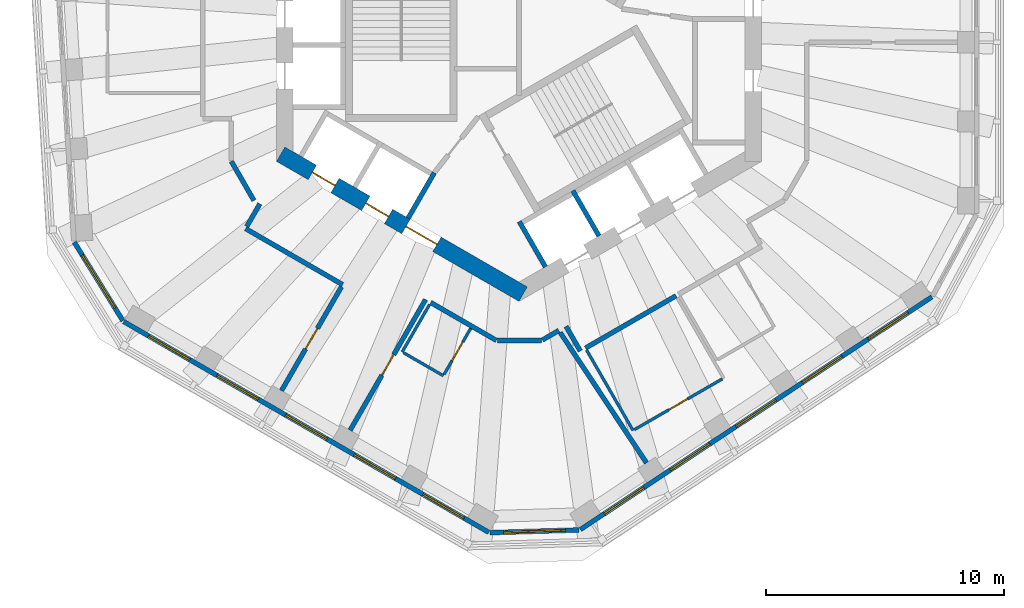
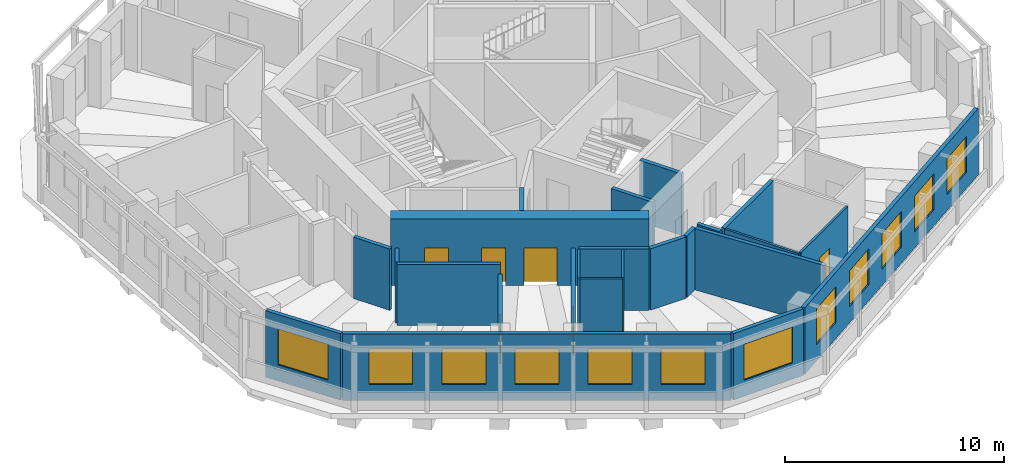
# One storey, part 4 of 11: 24 walls, 12 windows, 7 doors, 19 openings.
"""IFC4 building model written with IfcOpenShell, lengths in metres."""

from ifc_helpers import new_model, si_unit, direction, frame, frame_2d, origin, place, context, subcontext, project, spatial, rectangle, extrude, material, layer, layer_set, type_object, element, fill, save


model = new_model("IFC4")

# Units and contexts
model_context = context("Model", 3, precision=1e-05, world=origin(), true_north=direction((0.0, 1.0)))
body_context = subcontext(model_context, "Body", "Model", "MODEL_VIEW")
ifc_project = project(units=[si_unit("LENGTHUNIT", "METRE"), si_unit("AREAUNIT", "SQUARE_METRE"), si_unit("VOLUMEUNIT", "CUBIC_METRE"), si_unit("PLANEANGLEUNIT", "RADIAN"), si_unit("MASSUNIT", "GRAM", prefix="KILO")], contexts=[model_context])

# Site, building, storey
site_placement = place(None, origin())
site = spatial("IfcSite", under=ifc_project, at=site_placement, CompositionType="ELEMENT")
building_placement = place(site_placement, origin())
building = spatial("IfcBuilding", under=site, at=building_placement, Name="Vanh Sen Convention Tower", CompositionType="ELEMENT")
storey_placement = place(building_placement, frame((0.0, 0.0, 259.800048828125)))
storey = spatial("IfcBuildingStorey", under=building, at=storey_placement, Name="L64", CompositionType="ELEMENT", Elevation=259.800048828125)

# Walls
ifc_material_1 = material(Name="Moisture-resistant gypsum board on steel studs", Category="steel")
ifc_layer_1 = layer(ifc_material_1, 0.1201171875)
ifc_layer_set_1 = layer_set([ifc_layer_1], Name="Moisture-resistant gypsum board on steel studs")
wall_type_1 = type_object("IfcWallType", Name="Bathroom partition 120", PredefinedType="PARTITIONING", material=ifc_layer_set_1)
wall_1_placement = place(storey_placement, frame((-4.913330078125, -13.906494140625, 0.0), z_axis=(0.0, 0.0, 1.0), x_axis=(0.500031774688, 0.866007057882, 0.0)))
element("IfcWall", 1, at=wall_1_placement, inside=storey, type_object=wall_type_1, Name="Bathroom partition 120", PredefinedType="PARTITIONING", context=body_context, shape_type="SweptSolid", body=[
    extrude(rectangle(XDim=2.300048828125, YDim=0.1201171875, at=frame_2d((1.14990234375, 0.0))), origin(), (0.0, 0.0, 1.0), 3.419921875),
])
wall_2_placement = place(storey_placement, frame((-3.18115234375, -14.906494140625, 0.0), z_axis=(0.0, 0.0, 1.0), x_axis=(-0.866043088465, 0.499969367985, 0.0)))
element("IfcWall", 2, at=wall_2_placement, inside=storey, type_object=wall_type_1, Name="Bathroom partition 120", PredefinedType="PARTITIONING", context=body_context, shape_type="SweptSolid", body=[
    extrude(rectangle(XDim=1.93994140625, YDim=0.1201171875, at=frame_2d((0.969970703125, 0.0))), origin(), (0.0, 0.0, 1.0), 3.419921875),
])

# Wall, opening, door
wall_3_placement = place(storey_placement, frame((-2.03125, -12.91455078125, 0.0), z_axis=(0.0, 0.0, 1.0), x_axis=(-0.49994888933, -0.866054910533, 0.0)))
wall_3 = element("IfcWall", 3, at=wall_3_placement, inside=storey, type_object=wall_type_1, Name="Bathroom partition 120", PredefinedType="PARTITIONING", context=body_context, shape_type="SweptSolid", body=[
    extrude(rectangle(XDim=2.239990234375, YDim=0.1201171875, at=frame_2d((1.1201171875, 0.0))), origin(), (0.0, 0.0, 1.0), 3.419921875),
])
opening_1_placement = place(wall_3_placement, frame((0.669921875, 0.0, 0.0)))
opening_1 = element("IfcOpeningElement", 4, at=opening_1_placement, cuts=wall_3, Name="Opening D64113", PredefinedType="OPENING", context=body_context, shape_type="SweptSolid", body=[
    extrude(rectangle(XDim=0.89990234375, YDim=2.10009765625, at=frame_2d((0.449951171875, 1.050048828125))), frame((0.0, 0.070068359375, 0.0), z_axis=(0.0, -1.0, 0.0), x_axis=(1.0, 0.0, 0.0)), (0.0, 0.0, 1.0), 0.14013671875),
])
ifc_material_2 = material(Name="Laminate door in steel frame", Category="steel")
door_type_1 = type_object("IfcDoorType", Name="Room internal door 900", OperationType="SINGLE_SWING_LEFT", PredefinedType="DOOR", material=ifc_material_2)
door_1_placement = place(opening_1_placement, origin())
door_1 = element("IfcDoor", 5, at=door_1_placement, inside=storey, type_object=door_type_1, Name="Internal room door D64113", OperationType="SINGLE_SWING_LEFT", OverallHeight=2.10009765625, OverallWidth=0.89990234375, PredefinedType="DOOR", context=body_context, shape_type="SweptSolid", body=[
    extrude(rectangle(XDim=0.89990234375, YDim=2.10009765625, at=frame_2d((0.449951171875, 1.050048828125))), frame((0.0, 0.02490234375, 0.0), z_axis=(0.0, -1.0, 0.0), x_axis=(1.0, 0.0, 0.0)), (0.0, 0.0, 1.0), 0.050048828125),
])
fill(opening_1, door_1)

# Wall
wall_4_placement = place(storey_placement, frame((4.7958984375, -17.20849609375, 0.0), z_axis=(0.0, 0.0, 1.0), x_axis=(-0.500043961785, 0.866000020948, 0.0)))
element("IfcWall", 6, at=wall_4_placement, inside=storey, type_object=wall_type_1, Name="Bathroom partition 120", PredefinedType="PARTITIONING", context=body_context, shape_type="SweptSolid", body=[
    extrude(rectangle(XDim=3.900146484375, YDim=0.1201171875, at=frame_2d((1.9501953125, 0.0))), origin(), (0.0, 0.0, 1.0), 3.419921875),
])

# Wall, opening, door
wall_5_placement = place(storey_placement, frame((8.55419921875, -15.03857421875, 0.0), z_axis=(0.0, 0.0, 1.0), x_axis=(-0.865994635417, -0.500053288589, 0.0)))
wall_5 = element("IfcWall", 7, at=wall_5_placement, inside=storey, type_object=wall_type_1, Name="Bathroom partition 120", PredefinedType="PARTITIONING", context=body_context, shape_type="SweptSolid", body=[
    extrude(rectangle(XDim=4.27978515625, YDim=0.1201171875, at=frame_2d((2.139892578125, 0.0))), origin(), (0.0, 0.0, 1.0), 3.419921875),
])
opening_2_placement = place(wall_5_placement, frame((1.68994140625, 0.0, 0.0)))
opening_2 = element("IfcOpeningElement", 8, at=opening_2_placement, cuts=wall_5, Name="Opening D64115", PredefinedType="OPENING", context=body_context, shape_type="SweptSolid", body=[
    extrude(rectangle(XDim=0.89990234375, YDim=2.10009765625, at=frame_2d((0.449951171875, 1.050048828125))), frame((0.0, 0.070068359375, 0.0), z_axis=(0.0, -1.0, 0.0), x_axis=(1.0, 0.0, 0.0)), (0.0, 0.0, 1.0), 0.14013671875),
])
door_2_placement = place(opening_2_placement, origin())
door_2 = element("IfcDoor", 9, at=door_2_placement, inside=storey, type_object=door_type_1, Name="Internal room door D64115", OperationType="SINGLE_SWING_LEFT", OverallHeight=2.10009765625, OverallWidth=0.89990234375, PredefinedType="DOOR", context=body_context, shape_type="SweptSolid", body=[
    extrude(rectangle(XDim=0.89990234375, YDim=2.10009765625, at=frame_2d((0.449951171875, 1.050048828125))), frame((0.0, 0.02490234375, 0.0), z_axis=(0.0, -1.0, 0.0), x_axis=(1.0, 0.0, 0.0)), (0.0, 0.0, 1.0), 0.050048828125),
])
fill(opening_2, door_2)

# Wall, openings, doors
ifc_material_3 = material(Name="Concrete C60/75", Category="concrete")
ifc_layer_2 = layer(ifc_material_3, 0.699951171875)
ifc_layer_set_2 = layer_set([ifc_layer_2], Name="Concrete C60/75")
wall_type_2 = type_object("IfcWallType", Name="Core outer wall 700 C60/75", PredefinedType="SHEAR", material=ifc_layer_set_2)
wall_6_placement = place(storey_placement, frame((-10.02490234375, -5.5859375, 0.0), z_axis=(0.0, 0.0, 1.0), x_axis=(0.866026453023, -0.499998182661, 0.0)))
wall_6 = element("IfcWall", 10, at=wall_6_placement, inside=storey, type_object=wall_type_2, Name="Core wall face SW L64", PredefinedType="SHEAR", context=body_context, shape_type="SweptSolid", body=[
    extrude(rectangle(XDim=11.77783203125, YDim=0.699951171875, at=frame_2d((5.888916015625, 0.0))), origin(), (0.0, 0.0, 1.0), 3.699951171875),
])
opening_3_placement = place(wall_6_placement, frame((6.089111328125, 0.0, 0.0)))
opening_3 = element("IfcOpeningElement", 11, at=opening_3_placement, cuts=wall_6, Name="Opening D64003", PredefinedType="OPENING", context=body_context, shape_type="SweptSolid", body=[
    extrude(rectangle(XDim=1.5, YDim=2.10009765625, at=frame_2d((0.75, 1.050048828125))), frame((0.0, 0.35986328125, 0.0), z_axis=(0.0, -1.0, 0.0), x_axis=(1.0, 0.0, 0.0)), (0.0, 0.0, 1.0), 0.719970703125),
])
opening_4_placement = place(wall_6_placement, frame((1.5390625, 0.0, 0.0)))
opening_4 = element("IfcOpeningElement", 12, at=opening_4_placement, cuts=wall_6, Name="Opening LD-HR3", PredefinedType="OPENING", context=body_context, shape_type="SweptSolid", body=[
    extrude(rectangle(XDim=1.10009765625, YDim=2.10009765625, at=frame_2d((0.550048828125, 1.050048828125))), frame((0.0, 0.35986328125, 0.0), z_axis=(0.0, -1.0, 0.0), x_axis=(1.0, 0.0, 0.0)), (0.0, 0.0, 1.0), 0.719970703125),
])
opening_5_placement = place(wall_6_placement, frame((4.138916015625, 0.0, 0.0)))
opening_5 = element("IfcOpeningElement", 13, at=opening_5_placement, cuts=wall_6, Name="Opening LD-HR4", PredefinedType="OPENING", context=body_context, shape_type="SweptSolid", body=[
    extrude(rectangle(XDim=1.10009765625, YDim=2.10009765625, at=frame_2d((0.550048828125, 1.050048828125))), frame((0.0, 0.35986328125, 0.0), z_axis=(0.0, -1.0, 0.0), x_axis=(1.0, 0.0, 0.0)), (0.0, 0.0, 1.0), 0.719970703125),
])
ifc_material_4 = material(Name="Stainless steel", Category="steel")
door_type_2 = type_object("IfcDoorType", Name="Lift landing door 1100", OperationType="DOUBLE_DOOR_SLIDING", PredefinedType="DOOR", material=ifc_material_4)
door_3_placement = place(opening_4_placement, origin())
door_3 = element("IfcDoor", 14, at=door_3_placement, inside=storey, type_object=door_type_2, Name="Lift HR3 landing door LD-HR3", OperationType="DOUBLE_DOOR_SLIDING", OverallHeight=2.10009765625, OverallWidth=1.10009765625, PredefinedType="DOOR", context=body_context, shape_type="SweptSolid", body=[
    extrude(rectangle(XDim=1.10009765625, YDim=2.10009765625, at=frame_2d((0.550048828125, 1.050048828125))), frame((0.0, 0.02490234375, 0.0), z_axis=(0.0, -1.0, 0.0), x_axis=(1.0, 0.0, 0.0)), (0.0, 0.0, 1.0), 0.050048828125),
])
fill(opening_4, door_3)
door_4_placement = place(opening_5_placement, origin())
door_4 = element("IfcDoor", 15, at=door_4_placement, inside=storey, type_object=door_type_2, Name="Lift HR4 landing door LD-HR4", OperationType="DOUBLE_DOOR_SLIDING", OverallHeight=2.10009765625, OverallWidth=1.10009765625, PredefinedType="DOOR", context=body_context, shape_type="SweptSolid", body=[
    extrude(rectangle(XDim=1.10009765625, YDim=2.10009765625, at=frame_2d((0.550048828125, 1.050048828125))), frame((0.0, 0.02490234375, 0.0), z_axis=(0.0, -1.0, 0.0), x_axis=(1.0, 0.0, 0.0)), (0.0, 0.0, 1.0), 0.050048828125),
])
fill(opening_5, door_4)
ifc_material_5 = material(Name="Steel S355", Category="steel")
door_type_3 = type_object("IfcDoorType", Name="Stair lobby door 1500", OperationType="DOUBLE_DOOR_SINGLE_SWING", PredefinedType="DOOR", material=ifc_material_5)
door_5_placement = place(opening_3_placement, origin())
door_5 = element("IfcDoor", 16, at=door_5_placement, inside=storey, type_object=door_type_3, Name="Stair lobby door D64003", OperationType="DOUBLE_DOOR_SINGLE_SWING", OverallHeight=2.10009765625, OverallWidth=1.5, PredefinedType="DOOR", context=body_context, shape_type="SweptSolid", body=[
    extrude(rectangle(XDim=1.5, YDim=2.10009765625, at=frame_2d((0.75, 1.050048828125))), frame((0.0, 0.02490234375, 0.0), z_axis=(0.0, -1.0, 0.0), x_axis=(1.0, 0.0, 0.0)), (0.0, 0.0, 1.0), 0.050048828125),
])
fill(opening_3, door_5)

# Walls
ifc_material_6 = material(Name="Gypsum board on steel studs with mineral wool", Category="steel")
ifc_layer_3 = layer(ifc_material_6, 0.199951171875)
ifc_layer_set_3 = layer_set([ifc_layer_3], Name="Gypsum board on steel studs with mineral wool")
wall_type_3 = type_object("IfcWallType", Name="Corridor partition wall 200", PredefinedType="PARTITIONING", material=ifc_layer_set_3)
wall_7_placement = place(storey_placement, frame((-12.10009765625, -5.888916015625, 0.0), z_axis=(0.0, 0.0, 1.0), x_axis=(0.500063520245, -0.865988727248, 0.0)))
element("IfcWall", 17, at=wall_7_placement, inside=storey, type_object=wall_type_3, Name="Corridor partition wall 200", PredefinedType="PARTITIONING", context=body_context, shape_type="SweptSolid", body=[
    extrude(rectangle(XDim=1.900146484375, YDim=0.199951171875, at=frame_2d((0.9501953125, 0.0))), origin(), (0.0, 0.0, 1.0), 3.419921875),
])
wall_8_placement = place(storey_placement, frame((-11.501220703125, -8.718505859375, 0.0), z_axis=(0.0, 0.0, 1.0), x_axis=(0.866024434742, -0.500001678427, 0.0)))
element("IfcWall", 18, at=wall_8_placement, inside=storey, type_object=wall_type_3, Name="Corridor partition wall 200", PredefinedType="PARTITIONING", context=body_context, shape_type="SweptSolid", body=[
    extrude(rectangle(XDim=4.7177734375, YDim=0.199951171875, at=frame_2d((2.35888671875, 0.0))), origin(), (0.0, 0.0, 1.0), 3.419921875),
])
wall_9_placement = place(storey_placement, frame((-10.900634765625, -7.678466796875, 0.0), z_axis=(0.0, 0.0, 1.0), x_axis=(-0.500074377092, -0.865982457891, 0.0)))
element("IfcWall", 19, at=wall_9_placement, inside=storey, type_object=wall_type_3, Name="Corridor partition wall 200", PredefinedType="PARTITIONING", context=body_context, shape_type="SweptSolid", body=[
    extrude(rectangle(XDim=1.100830078125, YDim=0.199951171875, at=frame_2d((0.55029296875, 0.0))), origin(), (0.0, 0.0, 1.0), 3.419921875),
])

# Wall, opening, door
wall_10_placement = place(storey_placement, frame((-9.989990234375, -15.53662109375, 0.0), z_axis=(0.0, 0.0, 1.0), x_axis=(0.499966611936, 0.866044679534, 0.0)))
wall_10 = element("IfcWall", 20, at=wall_10_placement, inside=storey, type_object=wall_type_3, Name="Corridor partition wall 200", PredefinedType="PARTITIONING", context=body_context, shape_type="SweptSolid", body=[
    extrude(rectangle(XDim=5.049072265625, YDim=0.199951171875, at=frame_2d((2.5244140625, 0.0))), origin(), (0.0, 0.0, 1.0), 2.869873046875),
])
opening_6_placement = place(wall_10_placement, frame((2.0244140625, 0.0, 0.0)))
opening_6 = element("IfcOpeningElement", 21, at=opening_6_placement, cuts=wall_10, Name="Opening D64110", PredefinedType="OPENING", context=body_context, shape_type="SweptSolid", body=[
    extrude(rectangle(XDim=1.0, YDim=2.10009765625, at=frame_2d((0.5, 1.050048828125))), frame((0.0, 0.10986328125, 0.0), z_axis=(0.0, -1.0, 0.0), x_axis=(1.0, 0.0, 0.0)), (0.0, 0.0, 1.0), 0.219970703125),
])
ifc_material_7 = material(Name="Glazed fire door in steel frame", Category="steel")
door_type_4 = type_object("IfcDoorType", Name="Tenant entrance door 1000", OperationType="SINGLE_SWING_LEFT", PredefinedType="DOOR", material=ifc_material_7)
door_6_placement = place(opening_6_placement, origin())
door_6 = element("IfcDoor", 22, at=door_6_placement, inside=storey, type_object=door_type_4, Name="Tenant suite entrance door D64110", OperationType="SINGLE_SWING_LEFT", OverallHeight=2.10009765625, OverallWidth=1.0, PredefinedType="DOOR", context=body_context, shape_type="SweptSolid", body=[
    extrude(rectangle(XDim=1.0, YDim=2.10009765625, at=frame_2d((0.5, 1.050048828125))), frame((0.0, 0.02490234375, 0.0), z_axis=(0.0, -1.0, 0.0), x_axis=(1.0, 0.0, 0.0)), (0.0, 0.0, 1.0), 0.050048828125),
])
fill(opening_6, door_6)

wall_11_placement = place(storey_placement, frame((-7.104736328125, -17.202392578125, 0.0), z_axis=(0.0, 0.0, 1.0), x_axis=(0.499988692146, 0.866031932279, 0.0)))
wall_11 = element("IfcWall", 23, at=wall_11_placement, inside=storey, type_object=wall_type_3, Name="Corridor partition wall 200", PredefinedType="PARTITIONING", context=body_context, shape_type="SweptSolid", body=[
    extrude(rectangle(XDim=6.350341796875, YDim=0.199951171875, at=frame_2d((3.17529296875, 0.0))), origin(), (0.0, 0.0, 1.0), 3.419921875),
])
opening_7_placement = place(wall_11_placement, frame((2.675048828125, 0.0, 0.0)))
opening_7 = element("IfcOpeningElement", 24, at=opening_7_placement, cuts=wall_11, Name="Opening D64112", PredefinedType="OPENING", context=body_context, shape_type="SweptSolid", body=[
    extrude(rectangle(XDim=1.0, YDim=2.10009765625, at=frame_2d((0.5, 1.050048828125))), frame((0.0, 0.10986328125, 0.0), z_axis=(0.0, -1.0, 0.0), x_axis=(1.0, 0.0, 0.0)), (0.0, 0.0, 1.0), 0.219970703125),
])
door_7_placement = place(opening_7_placement, origin())
door_7 = element("IfcDoor", 25, at=door_7_placement, inside=storey, type_object=door_type_4, Name="Tenant suite entrance door D64112", OperationType="SINGLE_SWING_LEFT", OverallHeight=2.10009765625, OverallWidth=1.0, PredefinedType="DOOR", context=body_context, shape_type="SweptSolid", body=[
    extrude(rectangle(XDim=1.0, YDim=2.10009765625, at=frame_2d((0.5, 1.050048828125))), frame((0.0, 0.02490234375, 0.0), z_axis=(0.0, -1.0, 0.0), x_axis=(1.0, 0.0, 0.0)), (0.0, 0.0, 1.0), 0.050048828125),
])
fill(opening_7, door_7)

# Walls
wall_12_placement = place(storey_placement, frame((-3.71337890625, -11.827880859375, 0.0), z_axis=(0.0, 0.0, 1.0), x_axis=(0.866026321388, -0.499998410661, 0.0)))
element("IfcWall", 26, at=wall_12_placement, inside=storey, type_object=wall_type_3, Name="Corridor partition wall 200", PredefinedType="PARTITIONING", context=body_context, shape_type="SweptSolid", body=[
    extrude(rectangle(XDim=3.19091796875, YDim=0.199951171875, at=frame_2d((1.595458984375, 0.0))), origin(), (0.0, 0.0, 1.0), 3.419921875),
])
wall_13_placement = place(storey_placement, frame((-0.909912109375, -13.42333984375, 0.0), z_axis=(0.0, 0.0, 1.0), x_axis=(1.0, 0.0, 0.0)))
element("IfcWall", 27, at=wall_13_placement, inside=storey, type_object=wall_type_3, Name="Corridor partition wall 200", PredefinedType="PARTITIONING", context=body_context, shape_type="SweptSolid", body=[
    extrude(rectangle(XDim=1.85986328125, YDim=0.199951171875, at=frame_2d((0.929931640625, 0.0))), origin(), (0.0, 0.0, 1.0), 3.419921875),
])
wall_14_placement = place(storey_placement, frame((0.984619140625, -13.4033203125, 0.0), z_axis=(0.0, 0.0, 1.0), x_axis=(0.866032814021, 0.499987164874, 0.0)))
element("IfcWall", 28, at=wall_14_placement, inside=storey, type_object=wall_type_3, Name="Corridor partition wall 200", PredefinedType="PARTITIONING", context=body_context, shape_type="SweptSolid", body=[
    extrude(rectangle(XDim=0.79833984375, YDim=0.199951171875, at=frame_2d((0.399169921875, 0.0))), origin(), (0.0, 0.0, 1.0), 3.419921875),
])
wall_15_placement = place(storey_placement, frame((1.978759765625, -12.829345703125, 0.0), z_axis=(0.0, 0.0, 1.0), x_axis=(0.500074377092, -0.865982457891, 0.0)))
element("IfcWall", 29, at=wall_15_placement, inside=storey, type_object=wall_type_3, Name="Corridor partition wall 200", PredefinedType="PARTITIONING", context=body_context, shape_type="SweptSolid", body=[
    extrude(rectangle(XDim=1.200927734375, YDim=0.199951171875, at=frame_2d((0.6005859375, 0.0))), origin(), (0.0, 0.0, 1.0), 3.419921875),
])
wall_16_placement = place(storey_placement, frame((2.7958984375, -13.744384765625, 0.0), z_axis=(0.0, 0.0, 1.0), x_axis=(0.866018331238, 0.50001224981, 0.0)))
element("IfcWall", 30, at=wall_16_placement, inside=storey, type_object=wall_type_3, Name="Corridor partition wall 200", PredefinedType="PARTITIONING", context=body_context, shape_type="SweptSolid", body=[
    extrude(rectangle(XDim=4.39990234375, YDim=0.199951171875, at=frame_2d((2.199951171875, 0.0))), origin(), (0.0, 0.0, 1.0), 3.419921875),
])

# Wall, opening, window
ifc_material_8 = material(Name="Insulated lightweight infill wall")
ifc_layer_4 = layer(ifc_material_8, 0.199951171875)
ifc_layer_set_4 = layer_set([ifc_layer_4], Name="Insulated lightweight infill wall")
wall_type_4 = type_object("IfcWallType", Name="External wall 200", PredefinedType="STANDARD", material=ifc_layer_set_4)
wall_17_placement = place(storey_placement, frame((-18.705810546875, -9.290771484375, 0.0), z_axis=(0.0, 0.0, 1.0), x_axis=(0.526209683648, -0.850354848775, 0.0)))
wall_17 = element("IfcWall", 31, at=wall_17_placement, inside=storey, type_object=wall_type_4, Name="External wall CH4 L64", PredefinedType="STANDARD", context=body_context, shape_type="SweptSolid", body=[
    extrude(rectangle(XDim=3.8857421875, YDim=0.199951171875, at=frame_2d((1.94287109375, 0.0))), origin(), (0.0, 0.0, 1.0), 3.699951171875),
])
opening_8_placement = place(wall_17_placement, frame((0.642822265625, 0.0, 0.89990234375)))
opening_8 = element("IfcOpeningElement", 32, at=opening_8_placement, cuts=wall_17, Name="Opening WO6-CH41", PredefinedType="OPENING", context=body_context, shape_type="SweptSolid", body=[
    extrude(rectangle(XDim=2.60009765625, YDim=2.0, at=frame_2d((1.300048828125, 1.0))), frame((0.0, 0.10986328125, 0.0), z_axis=(0.0, -1.0, 0.0), x_axis=(1.0, 0.0, 0.0)), (0.0, 0.0, 1.0), 0.219970703125),
])
ifc_material_9 = material(Name="Aluminium frame with clear low-emissivity glass", Category="aluminium")
window_type_1 = type_object("IfcWindowType", Name="Office window 2600 x 2000", PartitioningType="SINGLE_PANEL", PredefinedType="WINDOW", material=ifc_material_9)
window_1_placement = place(opening_8_placement, origin())
window_1 = element("IfcWindow", 33, at=window_1_placement, inside=storey, type_object=window_type_1, Name="Window WO6-CH41", OverallHeight=2.0, OverallWidth=2.60009765625, PartitioningType="SINGLE_PANEL", PredefinedType="WINDOW", context=body_context, shape_type="SweptSolid", body=[
    extrude(rectangle(XDim=2.60009765625, YDim=2.0, at=frame_2d((1.300048828125, 1.0))), frame((0.0, 0.030029296875, 0.0), z_axis=(0.0, -1.0, 0.0), x_axis=(1.0, 0.0, 0.0)), (0.0, 0.0, 1.0), 0.06005859375),
])
fill(opening_8, window_1)

# Wall, openings, windows
wall_18_placement = place(storey_placement, frame((-16.626220703125, -12.62890625, 0.0), z_axis=(0.0, 0.0, 1.0), x_axis=(0.866026460444, -0.499998169808, 0.0)))
wall_18 = element("IfcWall", 34, at=wall_18_placement, inside=storey, type_object=wall_type_4, Name="External wall SW L64", PredefinedType="STANDARD", context=body_context, shape_type="SweptSolid", body=[
    extrude(rectangle(XDim=17.7314453125, YDim=0.199951171875, at=frame_2d((8.86572265625, 0.0))), origin(), (0.0, 0.0, 1.0), 3.699951171875),
])
opening_9_placement = place(wall_18_placement, frame((1.203125, 0.0, 0.89990234375)))
opening_9 = element("IfcOpeningElement", 35, at=opening_9_placement, cuts=wall_18, Name="Opening WO5-SW1", PredefinedType="OPENING", context=body_context, shape_type="SweptSolid", body=[
    extrude(rectangle(XDim=2.0, YDim=2.0, at=frame_2d((1.0, 1.0))), frame((0.0, 0.10986328125, 0.0), z_axis=(0.0, -1.0, 0.0), x_axis=(1.0, 0.0, 0.0)), (0.0, 0.0, 1.0), 0.219970703125),
])
opening_10_placement = place(wall_18_placement, frame((4.534912109375, 0.0, 0.89990234375)))
opening_10 = element("IfcOpeningElement", 36, at=opening_10_placement, cuts=wall_18, Name="Opening WO5-SW2", PredefinedType="OPENING", context=body_context, shape_type="SweptSolid", body=[
    extrude(rectangle(XDim=2.0, YDim=2.0, at=frame_2d((1.0, 1.0))), frame((0.0, 0.10986328125, 0.0), z_axis=(0.0, -1.0, 0.0), x_axis=(1.0, 0.0, 0.0)), (0.0, 0.0, 1.0), 0.219970703125),
])
opening_11_placement = place(wall_18_placement, frame((7.86669921875, 0.0, 0.89990234375)))
opening_11 = element("IfcOpeningElement", 37, at=opening_11_placement, cuts=wall_18, Name="Opening WO5-SW3", PredefinedType="OPENING", context=body_context, shape_type="SweptSolid", body=[
    extrude(rectangle(XDim=2.0, YDim=2.0, at=frame_2d((1.0, 1.0))), frame((0.0, 0.10986328125, 0.0), z_axis=(0.0, -1.0, 0.0), x_axis=(1.0, 0.0, 0.0)), (0.0, 0.0, 1.0), 0.219970703125),
])
opening_12_placement = place(wall_18_placement, frame((11.1982421875, 0.0, 0.89990234375)))
opening_12 = element("IfcOpeningElement", 38, at=opening_12_placement, cuts=wall_18, Name="Opening WO5-SW4", PredefinedType="OPENING", context=body_context, shape_type="SweptSolid", body=[
    extrude(rectangle(XDim=2.0, YDim=2.0, at=frame_2d((1.0, 1.0))), frame((0.0, 0.10986328125, 0.0), z_axis=(0.0, -1.0, 0.0), x_axis=(1.0, 0.0, 0.0)), (0.0, 0.0, 1.0), 0.219970703125),
])
opening_13_placement = place(wall_18_placement, frame((14.52978515625, 0.0, 0.89990234375)))
opening_13 = element("IfcOpeningElement", 39, at=opening_13_placement, cuts=wall_18, Name="Opening WO5-SW5", PredefinedType="OPENING", context=body_context, shape_type="SweptSolid", body=[
    extrude(rectangle(XDim=2.0, YDim=2.0, at=frame_2d((1.0, 1.0))), frame((0.0, 0.10986328125, 0.0), z_axis=(0.0, -1.0, 0.0), x_axis=(1.0, 0.0, 0.0)), (0.0, 0.0, 1.0), 0.219970703125),
])
window_type_2 = type_object("IfcWindowType", Name="Office window 2000 x 2000", PartitioningType="SINGLE_PANEL", PredefinedType="WINDOW", material=ifc_material_9)
window_2_placement = place(opening_9_placement, origin())
window_2 = element("IfcWindow", 40, at=window_2_placement, inside=storey, type_object=window_type_2, Name="Window WO5-SW1", OverallHeight=2.0, OverallWidth=2.0, PartitioningType="SINGLE_PANEL", PredefinedType="WINDOW", context=body_context, shape_type="SweptSolid", body=[
    extrude(rectangle(XDim=2.0, YDim=2.0, at=frame_2d((1.0, 1.0))), frame((0.0, 0.030029296875, 0.0), z_axis=(0.0, -1.0, 0.0), x_axis=(1.0, 0.0, 0.0)), (0.0, 0.0, 1.0), 0.06005859375),
])
fill(opening_9, window_2)
window_3_placement = place(opening_10_placement, origin())
window_3 = element("IfcWindow", 41, at=window_3_placement, inside=storey, type_object=window_type_2, Name="Window WO5-SW2", OverallHeight=2.0, OverallWidth=2.0, PartitioningType="SINGLE_PANEL", PredefinedType="WINDOW", context=body_context, shape_type="SweptSolid", body=[
    extrude(rectangle(XDim=2.0, YDim=2.0, at=frame_2d((1.0, 1.0))), frame((0.0, 0.030029296875, 0.0), z_axis=(0.0, -1.0, 0.0), x_axis=(1.0, 0.0, 0.0)), (0.0, 0.0, 1.0), 0.06005859375),
])
fill(opening_10, window_3)
window_4_placement = place(opening_11_placement, origin())
window_4 = element("IfcWindow", 42, at=window_4_placement, inside=storey, type_object=window_type_2, Name="Window WO5-SW3", OverallHeight=2.0, OverallWidth=2.0, PartitioningType="SINGLE_PANEL", PredefinedType="WINDOW", context=body_context, shape_type="SweptSolid", body=[
    extrude(rectangle(XDim=2.0, YDim=2.0, at=frame_2d((1.0, 1.0))), frame((0.0, 0.030029296875, 0.0), z_axis=(0.0, -1.0, 0.0), x_axis=(1.0, 0.0, 0.0)), (0.0, 0.0, 1.0), 0.06005859375),
])
fill(opening_11, window_4)
window_5_placement = place(opening_12_placement, origin())
window_5 = element("IfcWindow", 43, at=window_5_placement, inside=storey, type_object=window_type_2, Name="Window WO5-SW4", OverallHeight=2.0, OverallWidth=2.0, PartitioningType="SINGLE_PANEL", PredefinedType="WINDOW", context=body_context, shape_type="SweptSolid", body=[
    extrude(rectangle(XDim=2.0, YDim=2.0, at=frame_2d((1.0, 1.0))), frame((0.0, 0.030029296875, 0.0), z_axis=(0.0, -1.0, 0.0), x_axis=(1.0, 0.0, 0.0)), (0.0, 0.0, 1.0), 0.06005859375),
])
fill(opening_12, window_5)
window_6_placement = place(opening_13_placement, origin())
window_6 = element("IfcWindow", 44, at=window_6_placement, inside=storey, type_object=window_type_2, Name="Window WO5-SW5", OverallHeight=2.0, OverallWidth=2.0, PartitioningType="SINGLE_PANEL", PredefinedType="WINDOW", context=body_context, shape_type="SweptSolid", body=[
    extrude(rectangle(XDim=2.0, YDim=2.0, at=frame_2d((1.0, 1.0))), frame((0.0, 0.030029296875, 0.0), z_axis=(0.0, -1.0, 0.0), x_axis=(1.0, 0.0, 0.0)), (0.0, 0.0, 1.0), 0.06005859375),
])
fill(opening_13, window_6)

# Wall, opening, window
wall_19_placement = place(storey_placement, frame((-1.21728515625, -21.508056640625, 0.0), z_axis=(0.0, 0.0, 1.0), x_axis=(0.99953295295, 0.030559384285, 0.0)))
wall_19 = element("IfcWall", 45, at=wall_19_placement, inside=storey, type_object=wall_type_4, Name="External wall CH5 L64", PredefinedType="STANDARD", context=body_context, shape_type="SweptSolid", body=[
    extrude(rectangle(XDim=3.746826171875, YDim=0.199951171875, at=frame_2d((1.87353515625, 0.0))), origin(), (0.0, 0.0, 1.0), 3.699951171875),
])
opening_14_placement = place(wall_19_placement, frame((0.573486328125, 0.0, 0.89990234375)))
opening_14 = element("IfcOpeningElement", 46, at=opening_14_placement, cuts=wall_19, Name="Opening WO6-CH51", PredefinedType="OPENING", context=body_context, shape_type="SweptSolid", body=[
    extrude(rectangle(XDim=2.60009765625, YDim=2.0, at=frame_2d((1.300048828125, 1.0))), frame((0.0, 0.10986328125, 0.0), z_axis=(0.0, -1.0, 0.0), x_axis=(1.0, 0.0, 0.0)), (0.0, 0.0, 1.0), 0.219970703125),
])
window_7_placement = place(opening_14_placement, origin())
window_7 = element("IfcWindow", 47, at=window_7_placement, inside=storey, type_object=window_type_1, Name="Window WO6-CH51", OverallHeight=2.0, OverallWidth=2.60009765625, PartitioningType="SINGLE_PANEL", PredefinedType="WINDOW", context=body_context, shape_type="SweptSolid", body=[
    extrude(rectangle(XDim=2.60009765625, YDim=2.0, at=frame_2d((1.300048828125, 1.0))), frame((0.0, 0.030029296875, 0.0), z_axis=(0.0, -1.0, 0.0), x_axis=(1.0, 0.0, 0.0)), (0.0, 0.0, 1.0), 0.06005859375),
])
fill(opening_14, window_7)

# Wall, openings, windows
wall_20_placement = place(storey_placement, frame((2.580078125, -21.376953125, 0.0), z_axis=(0.0, 0.0, 1.0), x_axis=(0.833888592176, 0.551932800112, 0.0)))
wall_20 = element("IfcWall", 48, at=wall_20_placement, inside=storey, type_object=wall_type_4, Name="External wall SE L64", PredefinedType="STANDARD", context=body_context, shape_type="SweptSolid", body=[
    extrude(rectangle(XDim=17.7314453125, YDim=0.199951171875, at=frame_2d((8.86572265625, 0.0))), origin(), (0.0, 0.0, 1.0), 3.699951171875),
])
opening_15_placement = place(wall_20_placement, frame((1.20166015625, 0.0, 0.89990234375)))
opening_15 = element("IfcOpeningElement", 49, at=opening_15_placement, cuts=wall_20, Name="Opening WO5-SE1", PredefinedType="OPENING", context=body_context, shape_type="SweptSolid", body=[
    extrude(rectangle(XDim=2.0, YDim=2.0, at=frame_2d((1.0, 1.0))), frame((0.0, 0.10986328125, 0.0), z_axis=(0.0, -1.0, 0.0), x_axis=(1.0, 0.0, 0.0)), (0.0, 0.0, 1.0), 0.219970703125),
])
opening_16_placement = place(wall_20_placement, frame((4.533203125, 0.0, 0.89990234375)))
opening_16 = element("IfcOpeningElement", 50, at=opening_16_placement, cuts=wall_20, Name="Opening WO5-SE2", PredefinedType="OPENING", context=body_context, shape_type="SweptSolid", body=[
    extrude(rectangle(XDim=2.0, YDim=2.0, at=frame_2d((1.0, 1.0))), frame((0.0, 0.10986328125, 0.0), z_axis=(0.0, -1.0, 0.0), x_axis=(1.0, 0.0, 0.0)), (0.0, 0.0, 1.0), 0.219970703125),
])
opening_17_placement = place(wall_20_placement, frame((7.864990234375, 0.0, 0.89990234375)))
opening_17 = element("IfcOpeningElement", 51, at=opening_17_placement, cuts=wall_20, Name="Opening WO5-SE3", PredefinedType="OPENING", context=body_context, shape_type="SweptSolid", body=[
    extrude(rectangle(XDim=2.0, YDim=2.0, at=frame_2d((1.0, 1.0))), frame((0.0, 0.10986328125, 0.0), z_axis=(0.0, -1.0, 0.0), x_axis=(1.0, 0.0, 0.0)), (0.0, 0.0, 1.0), 0.219970703125),
])
opening_18_placement = place(wall_20_placement, frame((11.196533203125, 0.0, 0.89990234375)))
opening_18 = element("IfcOpeningElement", 52, at=opening_18_placement, cuts=wall_20, Name="Opening WO5-SE4", PredefinedType="OPENING", context=body_context, shape_type="SweptSolid", body=[
    extrude(rectangle(XDim=2.0, YDim=2.0, at=frame_2d((1.0, 1.0))), frame((0.0, 0.10986328125, 0.0), z_axis=(0.0, -1.0, 0.0), x_axis=(1.0, 0.0, 0.0)), (0.0, 0.0, 1.0), 0.219970703125),
])
opening_19_placement = place(wall_20_placement, frame((14.528076171875, 0.0, 0.89990234375)))
opening_19 = element("IfcOpeningElement", 53, at=opening_19_placement, cuts=wall_20, Name="Opening WO5-SE5", PredefinedType="OPENING", context=body_context, shape_type="SweptSolid", body=[
    extrude(rectangle(XDim=2.0, YDim=2.0, at=frame_2d((1.0, 1.0))), frame((0.0, 0.10986328125, 0.0), z_axis=(0.0, -1.0, 0.0), x_axis=(1.0, 0.0, 0.0)), (0.0, 0.0, 1.0), 0.219970703125),
])
window_8_placement = place(opening_15_placement, origin())
window_8 = element("IfcWindow", 54, at=window_8_placement, inside=storey, type_object=window_type_2, Name="Window WO5-SE1", OverallHeight=2.0, OverallWidth=2.0, PartitioningType="SINGLE_PANEL", PredefinedType="WINDOW", context=body_context, shape_type="SweptSolid", body=[
    extrude(rectangle(XDim=2.0, YDim=2.0, at=frame_2d((1.0, 1.0))), frame((0.0, 0.030029296875, 0.0), z_axis=(0.0, -1.0, 0.0), x_axis=(1.0, 0.0, 0.0)), (0.0, 0.0, 1.0), 0.06005859375),
])
fill(opening_15, window_8)
window_9_placement = place(opening_16_placement, origin())
window_9 = element("IfcWindow", 55, at=window_9_placement, inside=storey, type_object=window_type_2, Name="Window WO5-SE2", OverallHeight=2.0, OverallWidth=2.0, PartitioningType="SINGLE_PANEL", PredefinedType="WINDOW", context=body_context, shape_type="SweptSolid", body=[
    extrude(rectangle(XDim=2.0, YDim=2.0, at=frame_2d((1.0, 1.0))), frame((0.0, 0.030029296875, 0.0), z_axis=(0.0, -1.0, 0.0), x_axis=(1.0, 0.0, 0.0)), (0.0, 0.0, 1.0), 0.06005859375),
])
fill(opening_16, window_9)
window_10_placement = place(opening_17_placement, origin())
window_10 = element("IfcWindow", 56, at=window_10_placement, inside=storey, type_object=window_type_2, Name="Window WO5-SE3", OverallHeight=2.0, OverallWidth=2.0, PartitioningType="SINGLE_PANEL", PredefinedType="WINDOW", context=body_context, shape_type="SweptSolid", body=[
    extrude(rectangle(XDim=2.0, YDim=2.0, at=frame_2d((1.0, 1.0))), frame((0.0, 0.030029296875, 0.0), z_axis=(0.0, -1.0, 0.0), x_axis=(1.0, 0.0, 0.0)), (0.0, 0.0, 1.0), 0.06005859375),
])
fill(opening_17, window_10)
window_11_placement = place(opening_18_placement, origin())
window_11 = element("IfcWindow", 57, at=window_11_placement, inside=storey, type_object=window_type_2, Name="Window WO5-SE4", OverallHeight=2.0, OverallWidth=2.0, PartitioningType="SINGLE_PANEL", PredefinedType="WINDOW", context=body_context, shape_type="SweptSolid", body=[
    extrude(rectangle(XDim=2.0, YDim=2.0, at=frame_2d((1.0, 1.0))), frame((0.0, 0.030029296875, 0.0), z_axis=(0.0, -1.0, 0.0), x_axis=(1.0, 0.0, 0.0)), (0.0, 0.0, 1.0), 0.06005859375),
])
fill(opening_18, window_11)
window_12_placement = place(opening_19_placement, origin())
window_12 = element("IfcWindow", 58, at=window_12_placement, inside=storey, type_object=window_type_2, Name="Window WO5-SE5", OverallHeight=2.0, OverallWidth=2.0, PartitioningType="SINGLE_PANEL", PredefinedType="WINDOW", context=body_context, shape_type="SweptSolid", body=[
    extrude(rectangle(XDim=2.0, YDim=2.0, at=frame_2d((1.0, 1.0))), frame((0.0, 0.030029296875, 0.0), z_axis=(0.0, -1.0, 0.0), x_axis=(1.0, 0.0, 0.0)), (0.0, 0.0, 1.0), 0.06005859375),
])
fill(opening_19, window_12)

# Walls
ifc_material_10 = material(Name="Concrete C40/50", Category="concrete")
ifc_layer_5 = layer(ifc_material_10, 0.199951171875)
ifc_layer_set_5 = layer_set([ifc_layer_5], Name="Concrete C40/50")
wall_type_5 = type_object("IfcWallType", Name="Lift shaft wall 200", PredefinedType="PARTITIONING", material=ifc_layer_set_5)
wall_21_placement = place(storey_placement, frame((-3.5634765625, -6.3720703125, 0.0), z_axis=(0.0, 0.0, 1.0), x_axis=(-0.499994660107, -0.866028486751, 0.0)))
element("IfcWall", 59, at=wall_21_placement, inside=storey, type_object=wall_type_5, Name="Lift shaft wall L64", PredefinedType="PARTITIONING", context=body_context, shape_type="SweptSolid", body=[
    extrude(rectangle(XDim=2.19970703125, YDim=0.199951171875, at=frame_2d((1.099853515625, 0.0))), origin(), (0.0, 0.0, 1.0), 3.419921875),
])
for number, where, z_axis, x_axis, name in (
    (60, (0.0126953125, -8.422119140625, 0.0), (0.0, 0.0, 1.0), (0.500077893725, -0.86598042715, 0.0), "Lift shaft wall L64"),
    (61, (2.264404296875, -7.1220703125, 0.0), (0.0, 0.0, 1.0), (0.500077893725, -0.86598042715, 0.0), "Lift shaft wall L64"),
):
    element("IfcWall", number, at=place(storey_placement, frame(where, z_axis=z_axis, x_axis=x_axis)), inside=storey, type_object=wall_type_5, Name=name, PredefinedType="PARTITIONING", context=body_context, shape_type="SweptSolid", body=[
        extrude(rectangle(XDim=2.199951171875, YDim=0.199951171875, at=frame_2d((1.10009765625, 0.0))), origin(), (0.0, 0.0, 1.0), 3.419921875),
    ])
ifc_layer_6 = layer(ifc_material_6, 0.199951171875)
ifc_layer_set_6 = layer_set([ifc_layer_6], Name="Gypsum board on steel studs with mineral wool")
wall_type_6 = type_object("IfcWallType", Name="Tenant suite wall 200", PredefinedType="PARTITIONING", material=ifc_layer_set_6)
wall_22_placement = place(storey_placement, frame((5.363525390625, -18.5751953125, 0.0), z_axis=(0.0, 0.0, 1.0), x_axis=(-0.55195757761, 0.833872191957, 0.0)))
element("IfcWall", 62, at=wall_22_placement, inside=storey, type_object=wall_type_6, Name="Tenant suite wall 200", PredefinedType="PARTITIONING", context=body_context, shape_type="SweptSolid", body=[
    extrude(rectangle(XDim=6.580810546875, YDim=0.199951171875, at=frame_2d((3.29052734375, 0.0))), origin(), (0.0, 0.0, 1.0), 3.419921875),
])

save(model, "model.ifc")
